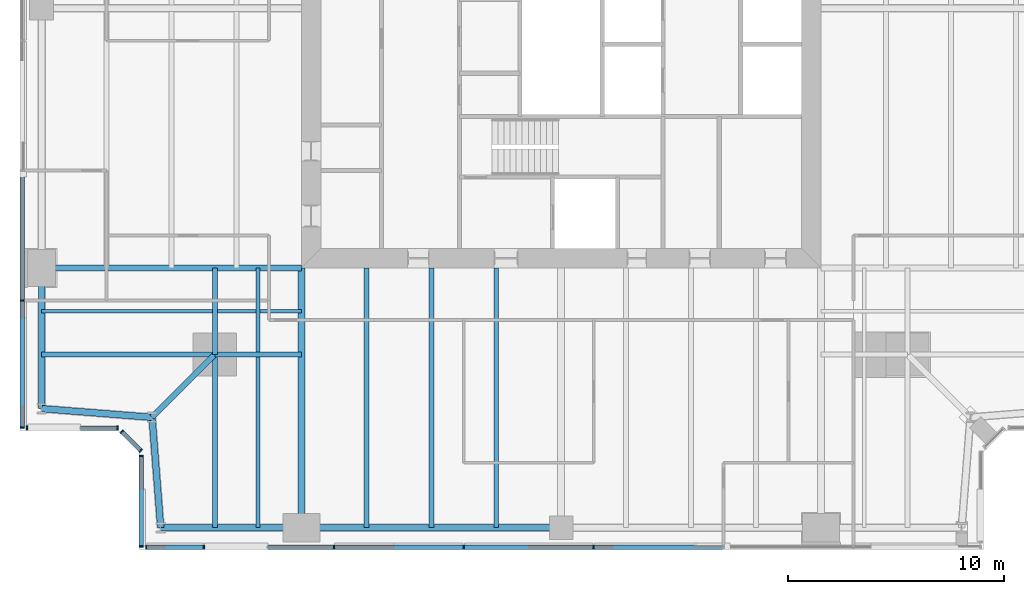
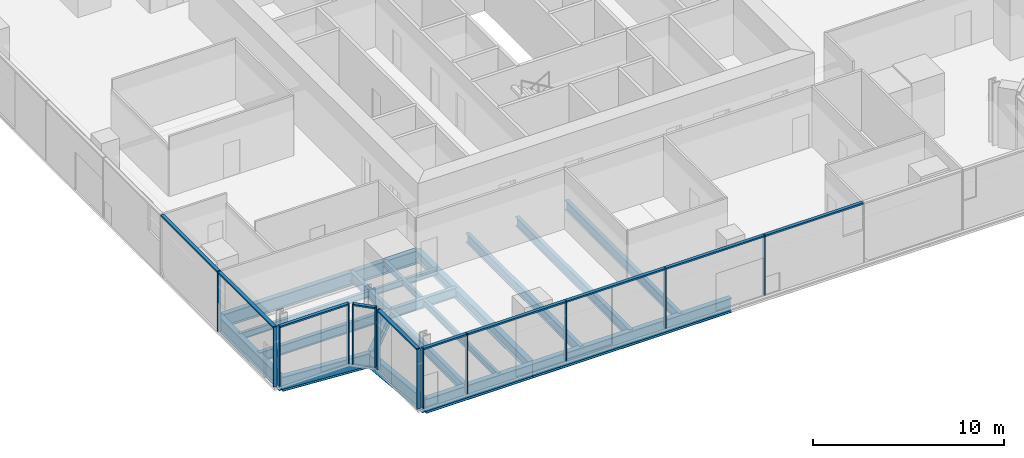
# One storey, part 2 of 15: 23 members, 20 beams, 5 elements without a shape of their own.
"""IFC4 building model written with IfcOpenShell, lengths in metres."""

from ifc_helpers import new_model, si_unit, direction, frame, origin, origin_2d, place, context, subcontext, project, spatial, rectangle, i_section, extrude, material, material_profile, profile_set, type_object, element, aggregate, save


model = new_model("IFC4")

# Units and contexts
model_context = context("Model", 3, precision=1e-05, world=origin(), true_north=direction((0.0, 1.0)))
body_context = subcontext(model_context, "Body", "Model", "MODEL_VIEW")
ifc_project = project(units=[si_unit("LENGTHUNIT", "METRE"), si_unit("AREAUNIT", "SQUARE_METRE"), si_unit("VOLUMEUNIT", "CUBIC_METRE"), si_unit("PLANEANGLEUNIT", "RADIAN"), si_unit("MASSUNIT", "GRAM", prefix="KILO")], contexts=[model_context])

# Site, building, storey
site_placement = place(None, origin())
site = spatial("IfcSite", under=ifc_project, at=site_placement, CompositionType="ELEMENT")
building_placement = place(site_placement, origin())
building = spatial("IfcBuilding", under=site, at=building_placement, Name="Fenwick Lantern Interchange", CompositionType="ELEMENT")
storey_placement = place(building_placement, frame((0.0, 0.0, 209.800048828125)))
storey = spatial("IfcBuildingStorey", under=building, at=storey_placement, Name="L49", CompositionType="ELEMENT", Elevation=209.800048828125)

# Beams
ifc_material_1 = material(Name="Steel ASTM A992 Grade 50", Category="steel")
ifc_material_profile_1 = material_profile(ifc_material_1, i_section(OverallWidth=0.3046875, OverallDepth=0.911865234375, WebThickness=0.015869140625, FlangeThickness=0.02392578125, at=origin_2d()), Name="W36X150")
ifc_profile_set_1 = profile_set([ifc_material_profile_1], Name="Steel ASTM A992 Grade 50")
beam_type_1 = type_object("IfcBeamType", Name="EDGE BEAM W36X150", PredefinedType="SPANDREL", material=ifc_profile_set_1)
beam_1_placement = place(storey_placement, frame((6.5, 1.0, -0.60595703125), z_axis=(1.0, 0.0, 0.0), x_axis=(0.0, 1.0, 0.0)))
element("IfcBeam", 1, at=beam_1_placement, inside=storey, type_object=beam_type_1, Name="L49/FR/S/EB1", PredefinedType="SPANDREL", context=body_context, shape_type="SweptSolid", body=[
    extrude(i_section(OverallWidth=0.3046875, OverallDepth=0.911865234375, WebThickness=0.015869140625, FlangeThickness=0.02392578125, at=origin_2d()), origin(), (0.0, 0.0, 1.0), 6.5),
])
beam_2_placement = place(storey_placement, frame((13.0, 1.0, -0.60595703125), z_axis=(1.0, 0.0, 0.0), x_axis=(0.0, 1.0, 0.0)))
element("IfcBeam", 2, at=beam_2_placement, inside=storey, type_object=beam_type_1, Name="L49/FR/S/EB2", PredefinedType="SPANDREL", context=body_context, shape_type="SweptSolid", body=[
    extrude(i_section(OverallWidth=0.3046875, OverallDepth=0.911865234375, WebThickness=0.015869140625, FlangeThickness=0.02392578125, at=origin_2d()), origin(), (0.0, 0.0, 1.0), 12.0),
])
beam_3_placement = place(storey_placement, frame((1.0, 13.0, -0.60595703125), z_axis=(0.0, -1.0, 0.0), x_axis=(1.0, 0.0, 0.0)))
element("IfcBeam", 3, at=beam_3_placement, inside=storey, type_object=beam_type_1, Name="L49/FR/W/EB4", PredefinedType="SPANDREL", context=body_context, shape_type="SweptSolid", body=[
    extrude(i_section(OverallWidth=0.3046875, OverallDepth=0.911865234375, WebThickness=0.015869140625, FlangeThickness=0.02392578125, at=origin_2d()), origin(), (0.0, 0.0, 1.0), 6.5),
])
for number, where, z_axis, x_axis, name in (
    (4, (1.0, 6.5, -0.60595703125), (0.99693998236, -0.078170784639, 0.0), (0.078170784639, 0.99693998236, 0.0), "L49/FR/W/EBR1"),
    (5, (6.10009765625, 6.10009765625, -0.60595703125), (0.078170784639, -0.99693998236, 0.0), (0.99693998236, 0.078170784639, 0.0), "L49/FR/W/EBR2"),
):
    element("IfcBeam", number, at=place(storey_placement, frame(where, z_axis=z_axis, x_axis=x_axis)), inside=storey, type_object=beam_type_1, Name=name, PredefinedType="SPANDREL", context=body_context, shape_type="SweptSolid", body=[
        extrude(i_section(OverallWidth=0.3046875, OverallDepth=0.911865234375, WebThickness=0.015869140625, FlangeThickness=0.02392578125, at=origin_2d()), origin(), (0.0, 0.0, 1.0), 5.11572265625),
    ])
ifc_material_profile_2 = material_profile(ifc_material_1, i_section(OverallWidth=0.22900390625, OverallDepth=0.612060546875, WebThickness=0.011962890625, FlangeThickness=0.01953125, at=origin_2d()), Name="W24X84")
ifc_profile_set_2 = profile_set([ifc_material_profile_2], Name="Steel ASTM A992 Grade 50")
beam_type_2 = type_object("IfcBeamType", Name="FLOOR BEAM W24X84", PredefinedType="BEAM", material=ifc_profile_set_2)
for number, where, z_axis, x_axis, name in (
    (6, (16.0, 1.0, -0.4560546875), (0.0, 1.0, 0.0), (-1.0, 0.0, 0.0), "L49/FR/S/R02"),
    (7, (19.0, 1.0, -0.4560546875), (0.0, 1.0, 0.0), (-1.0, 0.0, 0.0), "L49/FR/S/R03"),
    (8, (22.0, 1.0, -0.4560546875), (0.0, 1.0, 0.0), (-1.0, 0.0, 0.0), "L49/FR/S/R04"),
):
    element("IfcBeam", number, at=place(storey_placement, frame(where, z_axis=z_axis, x_axis=x_axis)), inside=storey, type_object=beam_type_2, Name=name, PredefinedType="BEAM", context=body_context, shape_type="SweptSolid", body=[
        extrude(i_section(OverallWidth=0.22900390625, OverallDepth=0.612060546875, WebThickness=0.011962890625, FlangeThickness=0.01953125, at=origin_2d()), origin(), (0.0, 0.0, 1.0), 12.0),
    ])
ifc_material_profile_3 = material_profile(ifc_material_1, i_section(OverallWidth=0.177734375, OverallDepth=0.406494140625, WebThickness=0.0078125, FlangeThickness=0.012939453125, at=origin_2d()), Name="W16X40")
ifc_profile_set_3 = profile_set([ifc_material_profile_3], Name="Steel ASTM A992 Grade 50")
beam_type_3 = type_object("IfcBeamType", Name="INFILL BEAM W16X40", PredefinedType="JOIST", material=ifc_profile_set_3)
beam_4_placement = place(storey_placement, frame((11.0, 1.0, -0.353271484375), z_axis=(0.0, 1.0, 0.0), x_axis=(-1.0, 0.0, 0.0)))
element("IfcBeam", 9, at=beam_4_placement, inside=storey, type_object=beam_type_3, Name="L49/FR/S/J1", PredefinedType="JOIST", context=body_context, shape_type="SweptSolid", body=[
    extrude(i_section(OverallWidth=0.177734375, OverallDepth=0.406494140625, WebThickness=0.0078125, FlangeThickness=0.012939453125, at=origin_2d()), origin(), (0.0, 0.0, 1.0), 7.885498046875),
])
beam_5_placement = place(storey_placement, frame((11.0, 9.114501953125, -0.353271484375), z_axis=(0.0, 1.0, 0.0), x_axis=(-1.0, 0.0, 0.0)))
element("IfcBeam", 10, at=beam_5_placement, inside=storey, type_object=beam_type_3, Name="L49/FR/S/J2", PredefinedType="JOIST", context=body_context, shape_type="SweptSolid", body=[
    extrude(i_section(OverallWidth=0.177734375, OverallDepth=0.406494140625, WebThickness=0.0078125, FlangeThickness=0.012939453125, at=origin_2d()), origin(), (0.0, 0.0, 1.0), 3.885498046875),
])
beam_6_placement = place(storey_placement, frame((1.0, 11.0, -0.353271484375), z_axis=(1.0, 0.0, 0.0), x_axis=(0.0, 1.0, 0.0)))
element("IfcBeam", 11, at=beam_6_placement, inside=storey, type_object=beam_type_3, Name="L49/FR/S/J3", PredefinedType="JOIST", context=body_context, shape_type="SweptSolid", body=[
    extrude(i_section(OverallWidth=0.177734375, OverallDepth=0.406494140625, WebThickness=0.0078125, FlangeThickness=0.012939453125, at=origin_2d()), origin(), (0.0, 0.0, 1.0), 7.885498046875),
])
beam_7_placement = place(storey_placement, frame((9.114501953125, 11.0, -0.353271484375), z_axis=(1.0, 0.0, 0.0), x_axis=(0.0, 1.0, 0.0)))
element("IfcBeam", 12, at=beam_7_placement, inside=storey, type_object=beam_type_3, Name="L49/FR/S/J4", PredefinedType="JOIST", context=body_context, shape_type="SweptSolid", body=[
    extrude(i_section(OverallWidth=0.177734375, OverallDepth=0.406494140625, WebThickness=0.0078125, FlangeThickness=0.012939453125, at=origin_2d()), origin(), (0.0, 0.0, 1.0), 1.796630859375),
])
beam_8_placement = place(storey_placement, frame((11.0888671875, 11.0, -0.353271484375), z_axis=(1.0, 0.0, 0.0), x_axis=(0.0, 1.0, 0.0)))
element("IfcBeam", 13, at=beam_8_placement, inside=storey, type_object=beam_type_3, Name="L49/FR/S/J5", PredefinedType="JOIST", context=body_context, shape_type="SweptSolid", body=[
    extrude(i_section(OverallWidth=0.177734375, OverallDepth=0.406494140625, WebThickness=0.0078125, FlangeThickness=0.012939453125, at=origin_2d()), origin(), (0.0, 0.0, 1.0), 1.9111328125),
])
ifc_material_profile_4 = material_profile(ifc_material_1, i_section(OverallWidth=0.22900390625, OverallDepth=0.612060546875, WebThickness=0.011962890625, FlangeThickness=0.01953125, at=origin_2d()), Name="W24X84")
ifc_profile_set_4 = profile_set([ifc_material_profile_4], Name="Steel ASTM A992 Grade 50")
beam_type_4 = type_object("IfcBeamType", Name="MEGA COLUMN BEAM W24X84", PredefinedType="BEAM", material=ifc_profile_set_4)
for number, where, z_axis, x_axis, name in (
    (14, (9.0, 9.0, -0.4560546875), (0.0, -1.0, 0.0), (1.0, 0.0, 0.0), "L49/FR/S/MB1"),
    (15, (9.0, 9.0, -0.4560546875), (-1.0, 0.0, 0.0), (0.0, -1.0, 0.0), "L49/FR/S/MB2"),
):
    element("IfcBeam", number, at=place(storey_placement, frame(where, z_axis=z_axis, x_axis=x_axis)), inside=storey, type_object=beam_type_4, Name=name, PredefinedType="BEAM", context=body_context, shape_type="SweptSolid", body=[
        extrude(i_section(OverallWidth=0.22900390625, OverallDepth=0.612060546875, WebThickness=0.011962890625, FlangeThickness=0.01953125, at=origin_2d()), origin(), (0.0, 0.0, 1.0), 8.0),
    ])
for number, where, z_axis, x_axis, name in (
    (16, (9.0, 9.0, -0.4560546875), (1.0, 0.0, 0.0), (0.0, 1.0, 0.0), "L49/FR/S/MB3"),
    (17, (9.0, 9.0, -0.4560546875), (0.0, 1.0, 0.0), (-1.0, 0.0, 0.0), "L49/FR/S/MB4"),
):
    element("IfcBeam", number, at=place(storey_placement, frame(where, z_axis=z_axis, x_axis=x_axis)), inside=storey, type_object=beam_type_4, Name=name, PredefinedType="BEAM", context=body_context, shape_type="SweptSolid", body=[
        extrude(i_section(OverallWidth=0.22900390625, OverallDepth=0.612060546875, WebThickness=0.011962890625, FlangeThickness=0.01953125, at=origin_2d()), origin(), (0.0, 0.0, 1.0), 4.0),
    ])
ifc_material_profile_5 = material_profile(ifc_material_1, i_section(OverallWidth=0.32763671875, OverallDepth=0.622314453125, WebThickness=0.015380859375, FlangeThickness=0.0244140625, at=origin_2d()), Name="W24X131")
ifc_profile_set_5 = profile_set([ifc_material_profile_5], Name="Steel ASTM A992 Grade 50")
beam_type_5 = type_object("IfcBeamType", Name="MOMENT-CONNECTED GIRDER W24X131", PredefinedType="BEAM", material=ifc_profile_set_5)
beam_9_placement = place(storey_placement, frame((13.0, 1.0, -0.461181640625), z_axis=(0.0, 1.0, 0.0), x_axis=(-1.0, 0.0, 0.0)))
element("IfcBeam", 18, at=beam_9_placement, inside=storey, type_object=beam_type_5, Name="L49/FR/S/R01", PredefinedType="BEAM", context=body_context, shape_type="SweptSolid", body=[
    extrude(i_section(OverallWidth=0.32763671875, OverallDepth=0.622314453125, WebThickness=0.015380859375, FlangeThickness=0.0244140625, at=origin_2d()), origin(), (0.0, 0.0, 1.0), 12.0),
])
ifc_material_profile_6 = material_profile(ifc_material_1, i_section(OverallWidth=0.2919921875, OverallDepth=0.845703125, WebThickness=0.015380859375, FlangeThickness=0.0244140625, at=origin_2d()), Name="W33X141")
ifc_profile_set_6 = profile_set([ifc_material_profile_6], Name="Steel ASTM A992 Grade 50")
beam_type_6 = type_object("IfcBeamType", Name="MOMENT-CONNECTED GIRDER W33X141", PredefinedType="BEAM", material=ifc_profile_set_6)
beam_10_placement = place(storey_placement, frame((1.0, 13.0, -0.572998046875), z_axis=(1.0, 0.0, 0.0), x_axis=(0.0, 1.0, 0.0)))
element("IfcBeam", 19, at=beam_10_placement, inside=storey, type_object=beam_type_6, Name="L49/FR/W/R03", PredefinedType="BEAM", context=body_context, shape_type="SweptSolid", body=[
    extrude(i_section(OverallWidth=0.2919921875, OverallDepth=0.845703125, WebThickness=0.015380859375, FlangeThickness=0.0244140625, at=origin_2d()), origin(), (0.0, 0.0, 1.0), 12.0),
])
ifc_material_profile_7 = material_profile(ifc_material_1, i_section(OverallWidth=0.2666015625, OverallDepth=0.7568359375, WebThickness=0.013916015625, FlangeThickness=0.019287109375, at=origin_2d()), Name="W30X108")
ifc_profile_set_7 = profile_set([ifc_material_profile_7], Name="Steel ASTM A992 Grade 50")
beam_type_7 = type_object("IfcBeamType", Name="NOTCH BEAM W30X108", PredefinedType="BEAM", material=ifc_profile_set_7)
beam_11_placement = place(storey_placement, frame((9.0, 9.0, -0.528564453125), z_axis=(-0.707106781187, -0.707106781187, 0.0), x_axis=(0.707106781187, -0.707106781187, 0.0)))
element("IfcBeam", 20, at=beam_11_placement, inside=storey, type_object=beam_type_7, Name="L49/FR/S/TG", PredefinedType="BEAM", context=body_context, shape_type="SweptSolid", body=[
    extrude(i_section(OverallWidth=0.2666015625, OverallDepth=0.7568359375, WebThickness=0.013916015625, FlangeThickness=0.019287109375, at=origin_2d()), origin(), (0.0, 0.0, 1.0), 4.10107421875),
])

# Curtain wall, members
ifc_material_2 = material(Name="Aluminium curtain wall frame", Category="aluminium")
curtain_wall_type = type_object("IfcCurtainWallType", Name="OFFICE CURTAIN WALL", PredefinedType="USERDEFINED", material=ifc_material_2)
curtain_wall_1_placement = place(storey_placement, origin())
curtain_wall_1 = element("IfcCurtainWall", 21, at=curtain_wall_1_placement, inside=storey, type_object=curtain_wall_type, Name="Office curtain wall 01", ObjectType="OFFICE CURTAIN WALL", PredefinedType="USERDEFINED")
ifc_material_3 = material(Name="Aluminium extrusion", Category="aluminium")
ifc_material_profile_8 = material_profile(ifc_material_3, rectangle(XDim=0.199951171875, YDim=0.06494140625, at=origin_2d()), Name="OFFICE CURTAIN WALL MULLION 65 X 200")
ifc_profile_set_8 = profile_set([ifc_material_profile_8], Name="Aluminium extrusion")
member_type_1 = type_object("IfcMemberType", Name="OFFICE CURTAIN WALL MULLION 65 X 200", PredefinedType="MULLION", material=ifc_profile_set_8)
member_1_placement = place(storey_placement, frame((5.83251953125, 0.10009765625, 0.0), z_axis=(0.0, 0.0, 1.0), x_axis=(0.0, 1.0, 0.0)))
member_1 = element("IfcMember", 22, at=member_1_placement, type_object=member_type_1, Name="L49/CW/01/M00", PredefinedType="MULLION", context=body_context, shape_type="SweptSolid", body=[
    extrude(rectangle(XDim=0.199951171875, YDim=0.06494140625, at=origin_2d()), origin(), (0.0, 0.0, 1.0), 3.849853515625),
])
member_2_placement = place(storey_placement, frame((8.5, 0.10009765625, 0.0), z_axis=(0.0, 0.0, 1.0), x_axis=(0.0, 1.0, 0.0)))
member_2 = element("IfcMember", 23, at=member_2_placement, type_object=member_type_1, Name="L49/CW/01/M01", PredefinedType="MULLION", context=body_context, shape_type="SweptSolid", body=[
    extrude(rectangle(XDim=0.199951171875, YDim=0.06494140625, at=origin_2d()), origin(), (0.0, 0.0, 1.0), 3.849853515625),
])
member_3_placement = place(storey_placement, frame((14.5, 0.10009765625, 0.0), z_axis=(0.0, 0.0, 1.0), x_axis=(0.0, 1.0, 0.0)))
member_3 = element("IfcMember", 24, at=member_3_placement, type_object=member_type_1, Name="L49/CW/01/M02", PredefinedType="MULLION", context=body_context, shape_type="SweptSolid", body=[
    extrude(rectangle(XDim=0.199951171875, YDim=0.06494140625, at=origin_2d()), origin(), (0.0, 0.0, 1.0), 3.849853515625),
])
member_4_placement = place(storey_placement, frame((20.5, 0.10009765625, 0.0), z_axis=(0.0, 0.0, 1.0), x_axis=(0.0, 1.0, 0.0)))
member_4 = element("IfcMember", 25, at=member_4_placement, type_object=member_type_1, Name="L49/CW/01/M03", PredefinedType="MULLION", context=body_context, shape_type="SweptSolid", body=[
    extrude(rectangle(XDim=0.199951171875, YDim=0.06494140625, at=origin_2d()), origin(), (0.0, 0.0, 1.0), 3.849853515625),
])
member_5_placement = place(storey_placement, frame((26.5, 0.10009765625, 0.0), z_axis=(0.0, 0.0, 1.0), x_axis=(0.0, 1.0, 0.0)))
member_5 = element("IfcMember", 26, at=member_5_placement, type_object=member_type_1, Name="L49/CW/01/M04", PredefinedType="MULLION", context=body_context, shape_type="SweptSolid", body=[
    extrude(rectangle(XDim=0.199951171875, YDim=0.06494140625, at=origin_2d()), origin(), (0.0, 0.0, 1.0), 3.849853515625),
])

curtain_wall_2_placement = place(storey_placement, origin())
curtain_wall_2 = element("IfcCurtainWall", 27, at=curtain_wall_2_placement, inside=storey, type_object=curtain_wall_type, Name="Office curtain wall 13", ObjectType="OFFICE CURTAIN WALL", PredefinedType="USERDEFINED")
member_6_placement = place(storey_placement, frame((0.10009765625, 11.5, 0.0), z_axis=(0.0, 0.0, 1.0), x_axis=(1.0, 0.0, 0.0)))
member_6 = element("IfcMember", 28, at=member_6_placement, type_object=member_type_1, Name="L49/CW/13/M06", PredefinedType="MULLION", context=body_context, shape_type="SweptSolid", body=[
    extrude(rectangle(XDim=0.199951171875, YDim=0.06494140625, at=origin_2d()), origin(), (0.0, 0.0, 1.0), 3.849853515625),
])
member_7_placement = place(storey_placement, frame((0.10009765625, 5.632568359375, 0.0), z_axis=(0.0, 0.0, 1.0), x_axis=(1.0, 0.0, 0.0)))
member_7 = element("IfcMember", 29, at=member_7_placement, type_object=member_type_1, Name="L49/CW/13/M07", PredefinedType="MULLION", context=body_context, shape_type="SweptSolid", body=[
    extrude(rectangle(XDim=0.199951171875, YDim=0.06494140625, at=origin_2d()), origin(), (0.0, 0.0, 1.0), 3.849853515625),
])

curtain_wall_3_placement = place(storey_placement, origin())
curtain_wall_3 = element("IfcCurtainWall", 30, at=curtain_wall_3_placement, inside=storey, type_object=curtain_wall_type, Name="Office curtain wall 14", ObjectType="OFFICE CURTAIN WALL", PredefinedType="USERDEFINED")
member_8_placement = place(storey_placement, frame((0.33251953125, 5.60009765625, 0.0), z_axis=(0.0, 0.0, 1.0), x_axis=(0.0, 1.0, 0.0)))
member_8 = element("IfcMember", 31, at=member_8_placement, type_object=member_type_1, Name="L49/CW/14/M00", PredefinedType="MULLION", context=body_context, shape_type="SweptSolid", body=[
    extrude(rectangle(XDim=0.199951171875, YDim=0.06494140625, at=origin_2d()), origin(), (0.0, 0.0, 1.0), 3.849853515625),
])
member_9_placement = place(storey_placement, frame((4.509033203125, 5.60009765625, 0.0), z_axis=(0.0, 0.0, 1.0), x_axis=(0.0, 1.0, 0.0)))
member_9 = element("IfcMember", 32, at=member_9_placement, type_object=member_type_1, Name="L49/CW/14/M01", PredefinedType="MULLION", context=body_context, shape_type="SweptSolid", body=[
    extrude(rectangle(XDim=0.199951171875, YDim=0.06494140625, at=origin_2d()), origin(), (0.0, 0.0, 1.0), 3.849853515625),
])

curtain_wall_4_placement = place(storey_placement, origin())
curtain_wall_4 = element("IfcCurtainWall", 33, at=curtain_wall_4_placement, inside=storey, type_object=curtain_wall_type, Name="Office curtain wall 15", ObjectType="OFFICE CURTAIN WALL", PredefinedType="USERDEFINED")
member_10_placement = place(storey_placement, frame((4.705810546875, 5.435546875, 0.0), z_axis=(0.0, 0.0, 1.0), x_axis=(0.707106781187, 0.707106781187, 0.0)))
member_10 = element("IfcMember", 34, at=member_10_placement, type_object=member_type_1, Name="L49/CW/15/M00", PredefinedType="MULLION", context=body_context, shape_type="SweptSolid", body=[
    extrude(rectangle(XDim=0.199951171875, YDim=0.06494140625, at=origin_2d()), origin(), (0.0, 0.0, 1.0), 3.849853515625),
])
member_11_placement = place(storey_placement, frame((5.576904296875, 4.564453125, 0.0), z_axis=(0.0, 0.0, 1.0), x_axis=(0.707106781187, 0.707106781187, 0.0)))
member_11 = element("IfcMember", 35, at=member_11_placement, type_object=member_type_1, Name="L49/CW/15/M01", PredefinedType="MULLION", context=body_context, shape_type="SweptSolid", body=[
    extrude(rectangle(XDim=0.199951171875, YDim=0.06494140625, at=origin_2d()), origin(), (0.0, 0.0, 1.0), 3.849853515625),
])

curtain_wall_5_placement = place(storey_placement, origin())
curtain_wall_5 = element("IfcCurtainWall", 36, at=curtain_wall_5_placement, inside=storey, type_object=curtain_wall_type, Name="Office curtain wall 16", ObjectType="OFFICE CURTAIN WALL", PredefinedType="USERDEFINED")
member_12_placement = place(storey_placement, frame((5.60009765625, 4.308837890625, 0.0), z_axis=(0.0, 0.0, 1.0), x_axis=(1.0, 0.0, 0.0)))
member_12 = element("IfcMember", 37, at=member_12_placement, type_object=member_type_1, Name="L49/CW/16/M00", PredefinedType="MULLION", context=body_context, shape_type="SweptSolid", body=[
    extrude(rectangle(XDim=0.199951171875, YDim=0.06494140625, at=origin_2d()), origin(), (0.0, 0.0, 1.0), 3.849853515625),
])
member_13_placement = place(storey_placement, frame((5.60009765625, 0.132568359375, 0.0), z_axis=(0.0, 0.0, 1.0), x_axis=(1.0, 0.0, 0.0)))
member_13 = element("IfcMember", 38, at=member_13_placement, type_object=member_type_1, Name="L49/CW/16/M01", PredefinedType="MULLION", context=body_context, shape_type="SweptSolid", body=[
    extrude(rectangle(XDim=0.199951171875, YDim=0.06494140625, at=origin_2d()), origin(), (0.0, 0.0, 1.0), 3.849853515625),
])

# Member
ifc_material_profile_9 = material_profile(ifc_material_3, rectangle(XDim=0.199951171875, YDim=0.10009765625, at=origin_2d()), Name="OFFICE CURTAIN WALL TRANSOM 100 X 200")
ifc_profile_set_9 = profile_set([ifc_material_profile_9], Name="Aluminium extrusion")
member_type_2 = type_object("IfcMemberType", Name="OFFICE CURTAIN WALL TRANSOM 100 X 200", PredefinedType="MULLION", material=ifc_profile_set_9)
member_14_placement = place(storey_placement, frame((5.864990234375, 0.10009765625, 3.800048828125), z_axis=(1.0, 0.0, 0.0), x_axis=(0.0, 1.0, 0.0)))
member_14 = element("IfcMember", 39, at=member_14_placement, type_object=member_type_2, Name="L49/CW/01/T00", PredefinedType="MULLION", context=body_context, shape_type="SweptSolid", body=[
    extrude(rectangle(XDim=0.199951171875, YDim=0.10009765625, at=origin_2d()), origin(), (0.0, 0.0, 1.0), 2.6025390625),
])

member_15_placement = place(storey_placement, frame((8.532470703125, 0.10009765625, 3.800048828125), z_axis=(1.0, 0.0, 0.0), x_axis=(0.0, 1.0, 0.0)))
member_15 = element("IfcMember", 40, at=member_15_placement, type_object=member_type_2, Name="L49/CW/01/T01", PredefinedType="MULLION", context=body_context, shape_type="SweptSolid", body=[
    extrude(rectangle(XDim=0.199951171875, YDim=0.10009765625, at=origin_2d()), origin(), (0.0, 0.0, 1.0), 5.93505859375),
])

member_16_placement = place(storey_placement, frame((14.532470703125, 0.10009765625, 3.800048828125), z_axis=(1.0, 0.0, 0.0), x_axis=(0.0, 1.0, 0.0)))
member_16 = element("IfcMember", 41, at=member_16_placement, type_object=member_type_2, Name="L49/CW/01/T02", PredefinedType="MULLION", context=body_context, shape_type="SweptSolid", body=[
    extrude(rectangle(XDim=0.199951171875, YDim=0.10009765625, at=origin_2d()), origin(), (0.0, 0.0, 1.0), 5.93505859375),
])

member_17_placement = place(storey_placement, frame((20.532470703125, 0.10009765625, 3.800048828125), z_axis=(1.0, 0.0, 0.0), x_axis=(0.0, 1.0, 0.0)))
member_17 = element("IfcMember", 42, at=member_17_placement, type_object=member_type_2, Name="L49/CW/01/T03", PredefinedType="MULLION", context=body_context, shape_type="SweptSolid", body=[
    extrude(rectangle(XDim=0.199951171875, YDim=0.10009765625, at=origin_2d()), origin(), (0.0, 0.0, 1.0), 5.93505859375),
])

member_18_placement = place(storey_placement, frame((26.532470703125, 0.10009765625, 3.800048828125), z_axis=(1.0, 0.0, 0.0), x_axis=(0.0, 1.0, 0.0)))
member_18 = element("IfcMember", 43, at=member_18_placement, type_object=member_type_2, Name="L49/CW/01/T04", PredefinedType="MULLION", context=body_context, shape_type="SweptSolid", body=[
    extrude(rectangle(XDim=0.199951171875, YDim=0.10009765625, at=origin_2d()), origin(), (0.0, 0.0, 1.0), 5.93505859375),
])

aggregate(curtain_wall_1, [member_1, member_2, member_3, member_4, member_5, member_14, member_15, member_16, member_17, member_18])

member_19_placement = place(storey_placement, frame((0.10009765625, 17.467529296875, 3.800048828125), z_axis=(0.0, -1.0, 0.0), x_axis=(1.0, 0.0, 0.0)))
member_19 = element("IfcMember", 44, at=member_19_placement, type_object=member_type_2, Name="L49/CW/13/T05", PredefinedType="MULLION", context=body_context, shape_type="SweptSolid", body=[
    extrude(rectangle(XDim=0.199951171875, YDim=0.10009765625, at=origin_2d()), origin(), (0.0, 0.0, 1.0), 5.93505859375),
])

member_20_placement = place(storey_placement, frame((0.10009765625, 11.467529296875, 3.800048828125), z_axis=(0.0, -1.0, 0.0), x_axis=(1.0, 0.0, 0.0)))
member_20 = element("IfcMember", 45, at=member_20_placement, type_object=member_type_2, Name="L49/CW/13/T06", PredefinedType="MULLION", context=body_context, shape_type="SweptSolid", body=[
    extrude(rectangle(XDim=0.199951171875, YDim=0.10009765625, at=origin_2d()), origin(), (0.0, 0.0, 1.0), 5.802490234375),
])

aggregate(curtain_wall_2, [member_6, member_7, member_19, member_20])

member_21_placement = place(storey_placement, frame((0.364990234375, 5.60009765625, 3.800048828125), z_axis=(1.0, 0.0, 0.0), x_axis=(0.0, 1.0, 0.0)))
member_21 = element("IfcMember", 46, at=member_21_placement, type_object=member_type_2, Name="L49/CW/14/T00", PredefinedType="MULLION", context=body_context, shape_type="SweptSolid", body=[
    extrude(rectangle(XDim=0.199951171875, YDim=0.10009765625, at=origin_2d()), origin(), (0.0, 0.0, 1.0), 4.111328125),
])

aggregate(curtain_wall_3, [member_8, member_9, member_21])

member_22_placement = place(storey_placement, frame((4.728759765625, 5.41259765625, 3.800048828125), z_axis=(0.707106781187, -0.707106781187, 0.0), x_axis=(0.707106781187, 0.707106781187, 0.0)))
member_22 = element("IfcMember", 47, at=member_22_placement, type_object=member_type_2, Name="L49/CW/15/T00", PredefinedType="MULLION", context=body_context, shape_type="SweptSolid", body=[
    extrude(rectangle(XDim=0.199951171875, YDim=0.10009765625, at=origin_2d()), origin(), (0.0, 0.0, 1.0), 1.1669921875),
])

aggregate(curtain_wall_4, [member_10, member_11, member_22])

member_23_placement = place(storey_placement, frame((5.60009765625, 4.2763671875, 3.800048828125), z_axis=(0.0, -1.0, 0.0), x_axis=(1.0, 0.0, 0.0)))
member_23 = element("IfcMember", 48, at=member_23_placement, type_object=member_type_2, Name="L49/CW/16/T00", PredefinedType="MULLION", context=body_context, shape_type="SweptSolid", body=[
    extrude(rectangle(XDim=0.199951171875, YDim=0.10009765625, at=origin_2d()), origin(), (0.0, 0.0, 1.0), 4.111328125),
])

aggregate(curtain_wall_5, [member_12, member_13, member_23])

save(model, "model.ifc")
